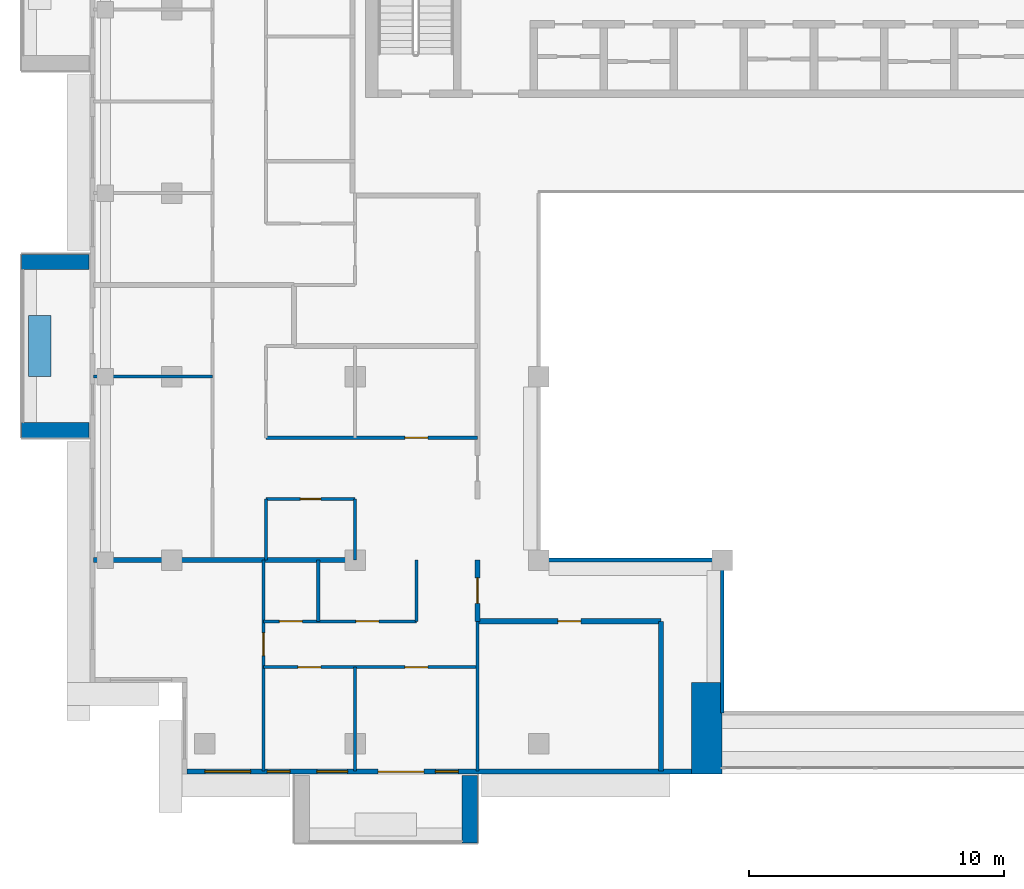
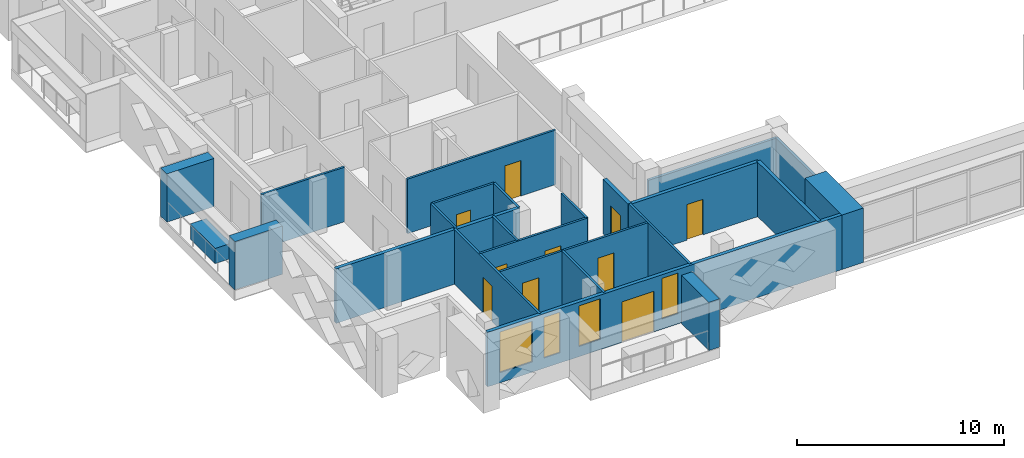
# One storey, part 6 of 19: 24 walls, 10 doors, 4 windows, 14 openings.
"""IFC4 building model written with IfcOpenShell, lengths in metres."""

from ifc_helpers import new_model, si_unit, direction, frame, frame_2d, origin, place, context, subcontext, project, spatial, rectangle, extrude, material, layer, layer_set, type_object, element, fill, save


model = new_model("IFC4")

# Units and contexts
model_context = context("Model", 3, precision=1e-05, world=origin(), true_north=direction((0.0, 1.0)))
body_context = subcontext(model_context, "Body", "Model", "MODEL_VIEW")
ifc_project = project(units=[si_unit("LENGTHUNIT", "METRE"), si_unit("AREAUNIT", "SQUARE_METRE"), si_unit("VOLUMEUNIT", "CUBIC_METRE"), si_unit("PLANEANGLEUNIT", "RADIAN"), si_unit("MASSUNIT", "GRAM", prefix="KILO")], contexts=[model_context])

# Site, building, storey
site_placement = place(None, origin())
site = spatial("IfcSite", under=ifc_project, at=site_placement, CompositionType="ELEMENT")
building_placement = place(site_placement, origin())
building = spatial("IfcBuilding", under=site, at=building_placement, Name="Saffron Iwan Residences", CompositionType="ELEMENT")
storey_placement = place(building_placement, frame((0.0, 0.0, 239.5)))
storey = spatial("IfcBuildingStorey", under=building, at=storey_placement, Name="L64", CompositionType="ELEMENT", Elevation=239.5)

# Walls
ifc_material_1 = material(Name="Fire-rated glazing", Category="glass")
ifc_layer_1 = layer(ifc_material_1, 0.14990234375)
ifc_layer_set_1 = layer_set([ifc_layer_1], Name="Fire-rated glazing")
wall_type_1 = type_object("IfcWallType", Name="Atrium glazed screen 150", PredefinedType="SOLIDWALL", material=ifc_layer_set_1)
wall_1_placement = place(storey_placement, frame((36.0, 48.0, 0.0), z_axis=(0.0, 0.0, 1.0), x_axis=(1.0, 0.0, 0.0)))
element("IfcWall", 1, at=wall_1_placement, inside=storey, type_object=wall_type_1, Name="W-L64-SCREEN-h48-36", PredefinedType="SOLIDWALL", context=body_context, shape_type="SweptSolid", body=[
    extrude(rectangle(XDim=7.199951171875, YDim=0.14990234375, at=frame_2d((3.60009765625, 0.0))), origin(), (0.0, 0.0, 1.0), 2.320068359375),
])
wall_2_placement = place(storey_placement, frame((43.199951171875, 42.0, 0.0), z_axis=(0.0, 0.0, 1.0), x_axis=(0.0, 1.0, 0.0)))
element("IfcWall", 2, at=wall_2_placement, inside=storey, type_object=wall_type_1, Name="W-L64-SCREEN-v43.2-42", PredefinedType="SOLIDWALL", context=body_context, shape_type="SweptSolid", body=[
    extrude(rectangle(XDim=6.0, YDim=0.14990234375, at=frame_2d((3.0, 0.0))), origin(), (0.0, 0.0, 1.0), 2.320068359375),
])
ifc_material_2 = material(Name="Concrete C50/60 white painted", Category="concrete")
ifc_layer_2 = layer(ifc_material_2, 0.60009765625)
ifc_layer_set_2 = layer_set([ifc_layer_2], Name="Concrete C50/60 white painted")
wall_type_2 = type_object("IfcWallType", Name="BALCONY FIN 600", PredefinedType="SOLIDWALL", material=ifc_layer_set_2)
for number, where, z_axis, x_axis, name in (
    (3, (18.35009765625, 59.699951171875, 0.0), (0.0, 0.0, 1.0), (-1.0, 0.0, 0.0), "Balcony fin L64 F8-1a"),
    (4, (18.35009765625, 53.10009765625, 0.0), (0.0, 0.0, 1.0), (-1.0, 0.0, 0.0), "Balcony fin L64 F8-1b"),
    (5, (33.300048828125, 39.550048828125, 0.0), (0.0, 0.0, 1.0), (0.0, -1.0, 0.0), "Balcony fin L64 11-0b"),
):
    element("IfcWall", number, at=place(storey_placement, frame(where, z_axis=z_axis, x_axis=x_axis)), inside=storey, type_object=wall_type_2, Name=name, PredefinedType="SOLIDWALL", context=body_context, shape_type="SweptSolid", body=[
        extrude(rectangle(XDim=2.650146484375, YDim=0.60009765625, at=frame_2d((1.3251953125, 0.0))), origin(), (0.0, 0.0, 1.0), 2.85009765625),
    ])
ifc_material_3 = material(Name="Concrete C35/45 white painted", Category="concrete")
ifc_layer_3 = layer(ifc_material_3, 0.14990234375)
ifc_layer_set_3 = layer_set([ifc_layer_3], Name="Concrete C35/45 white painted")
wall_type_3 = type_object("IfcWallType", Name="BALCONY PLANTER", PredefinedType="SOLIDWALL", material=ifc_layer_set_3)
wall_3_placement = place(storey_placement, frame((16.425048828125, 57.60009765625, 0.0), z_axis=(0.0, 0.0, 1.0), x_axis=(0.0, -1.0, 0.0)))
element("IfcWall", 6, at=wall_3_placement, inside=storey, type_object=wall_type_3, Name="PLANTER L64 F8-1", PredefinedType="SOLIDWALL", context=body_context, shape_type="SweptSolid", body=[
    extrude(rectangle(XDim=2.400146484375, YDim=0.89990234375, at=frame_2d((1.2001953125, 0.0))), origin(), (0.0, 0.0, 1.0), 0.89990234375),
])

# Wall, openings, door, windows
ifc_material_4 = material(Name="Concrete C40/50", Category="concrete")
ifc_layer_4 = layer(ifc_material_4, 0.199951171875)
ifc_layer_set_4 = layer_set([ifc_layer_4], Name="Concrete C40/50")
wall_type_4 = type_object("IfcWallType", Name="EXTERNAL WALL 200", PredefinedType="SOLIDWALL", material=ifc_layer_set_4)
wall_4_placement = place(storey_placement, frame((22.199951171875, 39.699951171875, 0.0), z_axis=(0.0, 0.0, 1.0), x_axis=(1.0, 0.0, 0.0)))
wall_4 = element("IfcWall", 7, at=wall_4_placement, inside=storey, type_object=wall_type_4, Name="External wall L64 F11.0", PredefinedType="SOLIDWALL", context=body_context, shape_type="SweptSolid", body=[
    extrude(rectangle(XDim=19.800048828125, YDim=0.199951171875, at=frame_2d((9.89990234375, 0.0))), origin(), (0.0, 0.0, 1.0), 3.219970703125),
])
opening_1_placement = place(wall_4_placement, frame((7.5, 0.0, 0.0)))
opening_1 = element("IfcOpeningElement", 8, at=opening_1_placement, cuts=wall_4, Name="Opening BD1", PredefinedType="OPENING", context=body_context, shape_type="SweptSolid", body=[
    extrude(rectangle(XDim=1.800048828125, YDim=2.39990234375, at=frame_2d((0.89990234375, 1.199951171875))), frame((0.0, 0.10986328125, 0.0), z_axis=(0.0, -1.0, 0.0), x_axis=(1.0, 0.0, 0.0)), (0.0, 0.0, 1.0), 0.219970703125),
])
opening_2_placement = place(wall_4_placement, frame((0.699951171875, 0.0, 0.60009765625)))
opening_2 = element("IfcOpeningElement", 9, at=opening_2_placement, cuts=wall_4, Name="Opening W8", PredefinedType="OPENING", context=body_context, shape_type="SweptSolid", body=[
    extrude(rectangle(XDim=1.800048828125, YDim=2.39990234375, at=frame_2d((0.89990234375, 1.199951171875))), frame((0.0, 0.10986328125, 0.0), z_axis=(0.0, -1.0, 0.0), x_axis=(1.0, 0.0, 0.0)), (0.0, 0.0, 1.0), 0.219970703125),
])
opening_3_placement = place(wall_4_placement, frame((3.14990234375, 0.0, 0.60009765625)))
opening_3 = element("IfcOpeningElement", 10, at=opening_3_placement, cuts=wall_4, Name="Opening W10", PredefinedType="OPENING", context=body_context, shape_type="SweptSolid", body=[
    extrude(rectangle(XDim=0.89990234375, YDim=2.39990234375, at=frame_2d((0.449951171875, 1.199951171875))), frame((0.0, 0.10986328125, 0.0), z_axis=(0.0, -1.0, 0.0), x_axis=(1.0, 0.0, 0.0)), (0.0, 0.0, 1.0), 0.219970703125),
])
opening_4_placement = place(wall_4_placement, frame((5.10009765625, 0.0, 0.60009765625)))
opening_4 = element("IfcOpeningElement", 11, at=opening_4_placement, cuts=wall_4, Name="Opening W3", PredefinedType="OPENING", context=body_context, shape_type="SweptSolid", body=[
    extrude(rectangle(XDim=1.199951171875, YDim=2.39990234375, at=frame_2d((0.60009765625, 1.199951171875))), frame((0.0, 0.10986328125, 0.0), z_axis=(0.0, -1.0, 0.0), x_axis=(1.0, 0.0, 0.0)), (0.0, 0.0, 1.0), 0.219970703125),
])
opening_5_placement = place(wall_4_placement, frame((9.75, 0.0, 0.60009765625)))
opening_5 = element("IfcOpeningElement", 12, at=opening_5_placement, cuts=wall_4, Name="Opening W10", PredefinedType="OPENING", context=body_context, shape_type="SweptSolid", body=[
    extrude(rectangle(XDim=0.89990234375, YDim=2.39990234375, at=frame_2d((0.449951171875, 1.199951171875))), frame((0.0, 0.10986328125, 0.0), z_axis=(0.0, -1.0, 0.0), x_axis=(1.0, 0.0, 0.0)), (0.0, 0.0, 1.0), 0.219970703125),
])
ifc_material_5 = material(Name="Clear glass, laminated double glazed", Category="glass")
door_type_1 = type_object("IfcDoorType", Name="BALCONY DOOR 1800 x 2400", OperationType="DOUBLE_DOOR_SLIDING", PredefinedType="DOOR", material=ifc_material_5)
door_1_placement = place(opening_1_placement, origin())
door_1 = element("IfcDoor", 13, at=door_1_placement, inside=storey, type_object=door_type_1, Name="Balcony door L64 F11.0", OperationType="DOUBLE_DOOR_SLIDING", OverallHeight=2.39990234375, OverallWidth=1.800048828125, PredefinedType="DOOR", context=body_context, shape_type="SweptSolid", body=[
    extrude(rectangle(XDim=1.800048828125, YDim=2.39990234375, at=frame_2d((0.89990234375, 1.199951171875))), frame((0.0, 0.02490234375, 0.0), z_axis=(0.0, -1.0, 0.0), x_axis=(1.0, 0.0, 0.0)), (0.0, 0.0, 1.0), 0.050048828125),
])
fill(opening_1, door_1)
window_type_1 = type_object("IfcWindowType", Name="WINDOW 1200 x 2400", PartitioningType="SINGLE_PANEL", PredefinedType="WINDOW", material=ifc_material_5)
window_1_placement = place(opening_4_placement, origin())
window_1 = element("IfcWindow", 14, at=window_1_placement, inside=storey, type_object=window_type_1, Name="Window L64 F11.3", OverallHeight=2.39990234375, OverallWidth=1.199951171875, PartitioningType="SINGLE_PANEL", PredefinedType="WINDOW", context=body_context, shape_type="SweptSolid", body=[
    extrude(rectangle(XDim=1.199951171875, YDim=2.39990234375, at=frame_2d((0.60009765625, 1.199951171875))), frame((0.0, 0.030029296875, 0.0), z_axis=(0.0, -1.0, 0.0), x_axis=(1.0, 0.0, 0.0)), (0.0, 0.0, 1.0), 0.06005859375),
])
fill(opening_4, window_1)
window_type_2 = type_object("IfcWindowType", Name="WINDOW 1800 x 2400", PartitioningType="DOUBLE_PANEL_VERTICAL", PredefinedType="WINDOW", material=ifc_material_5)
window_2_placement = place(opening_2_placement, origin())
window_2 = element("IfcWindow", 15, at=window_2_placement, inside=storey, type_object=window_type_2, Name="Window L64 F11.1", OverallHeight=2.39990234375, OverallWidth=1.800048828125, PartitioningType="DOUBLE_PANEL_VERTICAL", PredefinedType="WINDOW", context=body_context, shape_type="SweptSolid", body=[
    extrude(rectangle(XDim=1.800048828125, YDim=2.39990234375, at=frame_2d((0.89990234375, 1.199951171875))), frame((0.0, 0.030029296875, 0.0), z_axis=(0.0, -1.0, 0.0), x_axis=(1.0, 0.0, 0.0)), (0.0, 0.0, 1.0), 0.06005859375),
])
fill(opening_2, window_2)
window_type_3 = type_object("IfcWindowType", Name="WINDOW 900 x 2400", PartitioningType="SINGLE_PANEL", PredefinedType="WINDOW", material=ifc_material_5)
window_3_placement = place(opening_3_placement, origin())
window_3 = element("IfcWindow", 16, at=window_3_placement, inside=storey, type_object=window_type_3, Name="Window L64 F11.2", OverallHeight=2.39990234375, OverallWidth=0.89990234375, PartitioningType="SINGLE_PANEL", PredefinedType="WINDOW", context=body_context, shape_type="SweptSolid", body=[
    extrude(rectangle(XDim=0.89990234375, YDim=2.39990234375, at=frame_2d((0.449951171875, 1.199951171875))), frame((0.0, 0.030029296875, 0.0), z_axis=(0.0, -1.0, 0.0), x_axis=(1.0, 0.0, 0.0)), (0.0, 0.0, 1.0), 0.06005859375),
])
fill(opening_3, window_3)
window_4_placement = place(opening_5_placement, origin())
window_4 = element("IfcWindow", 17, at=window_4_placement, inside=storey, type_object=window_type_3, Name="Window L64 F11.4", OverallHeight=2.39990234375, OverallWidth=0.89990234375, PartitioningType="SINGLE_PANEL", PredefinedType="WINDOW", context=body_context, shape_type="SweptSolid", body=[
    extrude(rectangle(XDim=0.89990234375, YDim=2.39990234375, at=frame_2d((0.449951171875, 1.199951171875))), frame((0.0, 0.030029296875, 0.0), z_axis=(0.0, -1.0, 0.0), x_axis=(1.0, 0.0, 0.0)), (0.0, 0.0, 1.0), 0.06005859375),
])
fill(opening_5, window_4)

# Wall
ifc_material_6 = material(Name="Fire-rated gypsum board wall")
ifc_layer_5 = layer(ifc_material_6, 0.199951171875)
ifc_layer_set_5 = layer_set([ifc_layer_5], Name="Fire-rated gypsum board wall")
wall_type_5 = type_object("IfcWallType", Name="Flat demising wall 200", PredefinedType="SOLIDWALL", material=ifc_layer_set_5)
wall_5_placement = place(storey_placement, frame((18.52490234375, 48.0, 0.0), z_axis=(0.0, 0.0, 1.0), x_axis=(1.0, 0.0, 0.0)))
element("IfcWall", 18, at=wall_5_placement, inside=storey, type_object=wall_type_5, Name="W-L64-DEMISE-h48-18.525", PredefinedType="SOLIDWALL", context=body_context, shape_type="SweptSolid", body=[
    extrude(rectangle(XDim=10.275146484375, YDim=0.199951171875, at=frame_2d((5.1376953125, 0.0))), origin(), (0.0, 0.0, 1.0), 3.219970703125),
])

# Wall, openings, doors
ifc_material_7 = material(Name="Gypsum board partition")
ifc_layer_6 = layer(ifc_material_7, 0.1201171875)
ifc_layer_set_6 = layer_set([ifc_layer_6], Name="Gypsum board partition")
wall_type_6 = type_object("IfcWallType", Name="Flat partition 120", PredefinedType="PARTITIONING", material=ifc_layer_set_6)
wall_6_placement = place(storey_placement, frame((25.199951171875, 43.800048828125, 0.0), z_axis=(0.0, 0.0, 1.0), x_axis=(1.0, 0.0, 0.0)))
wall_6 = element("IfcWall", 19, at=wall_6_placement, inside=storey, type_object=wall_type_6, Name="W-L64-PART-h43.8-25.2", PredefinedType="PARTITIONING", context=body_context, shape_type="SweptSolid", body=[
    extrude(rectangle(XDim=8.400146484375, YDim=0.1201171875, at=frame_2d((4.2001953125, 0.0))), origin(), (0.0, 0.0, 1.0), 3.219970703125),
])
opening_6_placement = place(wall_6_placement, frame((1.35009765625, 0.0, 0.0)))
opening_6 = element("IfcOpeningElement", 20, at=opening_6_placement, cuts=wall_6, Name="Opening FD2", PredefinedType="OPENING", context=body_context, shape_type="SweptSolid", body=[
    extrude(rectangle(XDim=0.89990234375, YDim=2.10009765625, at=frame_2d((0.449951171875, 1.050048828125))), frame((0.0, 0.070068359375, 0.0), z_axis=(0.0, -1.0, 0.0), x_axis=(1.0, 0.0, 0.0)), (0.0, 0.0, 1.0), 0.14013671875),
])
opening_7_placement = place(wall_6_placement, frame((5.550048828125, 0.0, 0.0)))
opening_7 = element("IfcOpeningElement", 21, at=opening_7_placement, cuts=wall_6, Name="Opening FD2", PredefinedType="OPENING", context=body_context, shape_type="SweptSolid", body=[
    extrude(rectangle(XDim=0.89990234375, YDim=2.10009765625, at=frame_2d((0.449951171875, 1.050048828125))), frame((0.0, 0.070068359375, 0.0), z_axis=(0.0, -1.0, 0.0), x_axis=(1.0, 0.0, 0.0)), (0.0, 0.0, 1.0), 0.14013671875),
])
ifc_material_8 = material(Name="Timber door", Category="wood")
door_type_2 = type_object("IfcDoorType", Name="Flat door 900", OperationType="NOTDEFINED", PredefinedType="DOOR", material=ifc_material_8)
door_2_placement = place(opening_6_placement, origin())
door_2 = element("IfcDoor", 22, at=door_2_placement, inside=storey, type_object=door_type_2, Name="Door L64-003", OperationType="SINGLE_SWING_RIGHT", OverallHeight=2.10009765625, OverallWidth=0.89990234375, PredefinedType="DOOR", context=body_context, shape_type="SweptSolid", body=[
    extrude(rectangle(XDim=0.89990234375, YDim=2.10009765625, at=frame_2d((0.449951171875, 1.050048828125))), frame((0.0, 0.02490234375, 0.0), z_axis=(0.0, -1.0, 0.0), x_axis=(1.0, 0.0, 0.0)), (0.0, 0.0, 1.0), 0.050048828125),
])
fill(opening_6, door_2)
door_3_placement = place(opening_7_placement, origin())
door_3 = element("IfcDoor", 23, at=door_3_placement, inside=storey, type_object=door_type_2, Name="Door L64-004", OperationType="SINGLE_SWING_LEFT", OverallHeight=2.10009765625, OverallWidth=0.89990234375, PredefinedType="DOOR", context=body_context, shape_type="SweptSolid", body=[
    extrude(rectangle(XDim=0.89990234375, YDim=2.10009765625, at=frame_2d((0.449951171875, 1.050048828125))), frame((0.0, 0.02490234375, 0.0), z_axis=(0.0, -1.0, 0.0), x_axis=(1.0, 0.0, 0.0)), (0.0, 0.0, 1.0), 0.050048828125),
])
fill(opening_7, door_3)

wall_7_placement = place(storey_placement, frame((25.199951171875, 45.60009765625, 0.0), z_axis=(0.0, 0.0, 1.0), x_axis=(1.0, 0.0, 0.0)))
wall_7 = element("IfcWall", 24, at=wall_7_placement, inside=storey, type_object=wall_type_6, Name="W-L64-PART-h45.6-25.2", PredefinedType="PARTITIONING", context=body_context, shape_type="SweptSolid", body=[
    extrude(rectangle(XDim=6.0, YDim=0.1201171875, at=frame_2d((3.0, 0.0))), origin(), (0.0, 0.0, 1.0), 3.219970703125),
])
opening_8_placement = place(wall_7_placement, frame((0.625, 0.0, 0.0)))
opening_8 = element("IfcOpeningElement", 25, at=opening_8_placement, cuts=wall_7, Name="Opening FD2", PredefinedType="OPENING", context=body_context, shape_type="SweptSolid", body=[
    extrude(rectangle(XDim=0.89990234375, YDim=2.10009765625, at=frame_2d((0.449951171875, 1.050048828125))), frame((0.0, 0.070068359375, 0.0), z_axis=(0.0, -1.0, 0.0), x_axis=(1.0, 0.0, 0.0)), (0.0, 0.0, 1.0), 0.14013671875),
])
opening_9_placement = place(wall_7_placement, frame((3.625, 0.0, 0.0)))
opening_9 = element("IfcOpeningElement", 26, at=opening_9_placement, cuts=wall_7, Name="Opening FD2", PredefinedType="OPENING", context=body_context, shape_type="SweptSolid", body=[
    extrude(rectangle(XDim=0.89990234375, YDim=2.10009765625, at=frame_2d((0.449951171875, 1.050048828125))), frame((0.0, 0.070068359375, 0.0), z_axis=(0.0, -1.0, 0.0), x_axis=(1.0, 0.0, 0.0)), (0.0, 0.0, 1.0), 0.14013671875),
])
door_4_placement = place(opening_8_placement, origin())
door_4 = element("IfcDoor", 27, at=door_4_placement, inside=storey, type_object=door_type_2, Name="Door L64-005", OperationType="SINGLE_SWING_LEFT", OverallHeight=2.10009765625, OverallWidth=0.89990234375, PredefinedType="DOOR", context=body_context, shape_type="SweptSolid", body=[
    extrude(rectangle(XDim=0.89990234375, YDim=2.10009765625, at=frame_2d((0.449951171875, 1.050048828125))), frame((0.0, 0.02490234375, 0.0), z_axis=(0.0, -1.0, 0.0), x_axis=(1.0, 0.0, 0.0)), (0.0, 0.0, 1.0), 0.050048828125),
])
fill(opening_8, door_4)
door_5_placement = place(opening_9_placement, origin())
door_5 = element("IfcDoor", 28, at=door_5_placement, inside=storey, type_object=door_type_2, Name="Door L64-006", OperationType="SINGLE_SWING_RIGHT", OverallHeight=2.10009765625, OverallWidth=0.89990234375, PredefinedType="DOOR", context=body_context, shape_type="SweptSolid", body=[
    extrude(rectangle(XDim=0.89990234375, YDim=2.10009765625, at=frame_2d((0.449951171875, 1.050048828125))), frame((0.0, 0.02490234375, 0.0), z_axis=(0.0, -1.0, 0.0), x_axis=(1.0, 0.0, 0.0)), (0.0, 0.0, 1.0), 0.050048828125),
])
fill(opening_9, door_5)

# Wall, opening, door
wall_8_placement = place(storey_placement, frame((25.300048828125, 50.39990234375, 0.0), z_axis=(0.0, 0.0, 1.0), x_axis=(1.0, 0.0, 0.0)))
wall_8 = element("IfcWall", 29, at=wall_8_placement, inside=storey, type_object=wall_type_6, Name="W-L64-PART-h50.4-25.3", PredefinedType="PARTITIONING", context=body_context, shape_type="SweptSolid", body=[
    extrude(rectangle(XDim=3.5, YDim=0.1201171875, at=frame_2d((1.75, 0.0))), origin(), (0.0, 0.0, 1.0), 3.219970703125),
])
opening_10_placement = place(wall_8_placement, frame((1.35009765625, 0.0, 0.0)))
opening_10 = element("IfcOpeningElement", 30, at=opening_10_placement, cuts=wall_8, Name="Opening FD3", PredefinedType="OPENING", context=body_context, shape_type="SweptSolid", body=[
    extrude(rectangle(XDim=0.800048828125, YDim=2.10009765625, at=frame_2d((0.39990234375, 1.050048828125))), frame((0.0, 0.070068359375, 0.0), z_axis=(0.0, -1.0, 0.0), x_axis=(1.0, 0.0, 0.0)), (0.0, 0.0, 1.0), 0.14013671875),
])
door_type_3 = type_object("IfcDoorType", Name="Bathroom door 800", OperationType="NOTDEFINED", PredefinedType="DOOR", material=ifc_material_8)
door_6_placement = place(opening_10_placement, origin())
door_6 = element("IfcDoor", 31, at=door_6_placement, inside=storey, type_object=door_type_3, Name="Door L64-011", OperationType="SINGLE_SWING_LEFT", OverallHeight=2.10009765625, OverallWidth=0.800048828125, PredefinedType="DOOR", context=body_context, shape_type="SweptSolid", body=[
    extrude(rectangle(XDim=0.800048828125, YDim=2.10009765625, at=frame_2d((0.39990234375, 1.050048828125))), frame((0.0, 0.02490234375, 0.0), z_axis=(0.0, -1.0, 0.0), x_axis=(1.0, 0.0, 0.0)), (0.0, 0.0, 1.0), 0.050048828125),
])
fill(opening_10, door_6)

wall_9_placement = place(storey_placement, frame((25.300048828125, 52.800048828125, 0.0), z_axis=(0.0, 0.0, 1.0), x_axis=(1.0, 0.0, 0.0)))
wall_9 = element("IfcWall", 32, at=wall_9_placement, inside=storey, type_object=wall_type_6, Name="W-L64-PART-h52.8-25.3", PredefinedType="PARTITIONING", context=body_context, shape_type="SweptSolid", body=[
    extrude(rectangle(XDim=8.300048828125, YDim=0.1201171875, at=frame_2d((4.14990234375, 0.0))), origin(), (0.0, 0.0, 1.0), 3.219970703125),
])
opening_11_placement = place(wall_9_placement, frame((5.449951171875, 0.0, 0.0)))
opening_11 = element("IfcOpeningElement", 33, at=opening_11_placement, cuts=wall_9, Name="Opening FD2", PredefinedType="OPENING", context=body_context, shape_type="SweptSolid", body=[
    extrude(rectangle(XDim=0.89990234375, YDim=2.10009765625, at=frame_2d((0.449951171875, 1.050048828125))), frame((0.0, 0.070068359375, 0.0), z_axis=(0.0, -1.0, 0.0), x_axis=(1.0, 0.0, 0.0)), (0.0, 0.0, 1.0), 0.14013671875),
])
door_7_placement = place(opening_11_placement, origin())
door_7 = element("IfcDoor", 34, at=door_7_placement, inside=storey, type_object=door_type_2, Name="Door L64-013", OperationType="SINGLE_SWING_LEFT", OverallHeight=2.10009765625, OverallWidth=0.89990234375, PredefinedType="DOOR", context=body_context, shape_type="SweptSolid", body=[
    extrude(rectangle(XDim=0.89990234375, YDim=2.10009765625, at=frame_2d((0.449951171875, 1.050048828125))), frame((0.0, 0.02490234375, 0.0), z_axis=(0.0, -1.0, 0.0), x_axis=(1.0, 0.0, 0.0)), (0.0, 0.0, 1.0), 0.050048828125),
])
fill(opening_11, door_7)

# Wall
wall_10_placement = place(storey_placement, frame((18.52490234375, 55.199951171875, 0.0), z_axis=(0.0, 0.0, 1.0), x_axis=(1.0, 0.0, 0.0)))
element("IfcWall", 35, at=wall_10_placement, inside=storey, type_object=wall_type_6, Name="W-L64-PART-h55.2-18.525", PredefinedType="PARTITIONING", context=body_context, shape_type="SweptSolid", body=[
    extrude(rectangle(XDim=4.675048828125, YDim=0.1201171875, at=frame_2d((2.33740234375, 0.0))), origin(), (0.0, 0.0, 1.0), 3.219970703125),
])

# Wall, opening, door
wall_11_placement = place(storey_placement, frame((25.199951171875, 39.72509765625, 0.0), z_axis=(0.0, 0.0, 1.0), x_axis=(0.0, 1.0, 0.0)))
wall_11 = element("IfcWall", 36, at=wall_11_placement, inside=storey, type_object=wall_type_6, Name="W-L64-PART-v25.2-39.725", PredefinedType="PARTITIONING", context=body_context, shape_type="SweptSolid", body=[
    extrude(rectangle(XDim=8.27490234375, YDim=0.1201171875, at=frame_2d((4.137451171875, 0.0))), origin(), (0.0, 0.0, 1.0), 3.219970703125),
])
opening_12_placement = place(wall_11_placement, frame((4.52490234375, 0.0, 0.0)))
opening_12 = element("IfcOpeningElement", 37, at=opening_12_placement, cuts=wall_11, Name="Opening FD2", PredefinedType="OPENING", context=body_context, shape_type="SweptSolid", body=[
    extrude(rectangle(XDim=0.89990234375, YDim=2.10009765625, at=frame_2d((0.449951171875, 1.050048828125))), frame((0.0, 0.070068359375, 0.0), z_axis=(0.0, -1.0, 0.0), x_axis=(1.0, 0.0, 0.0)), (0.0, 0.0, 1.0), 0.14013671875),
])
door_8_placement = place(opening_12_placement, origin())
door_8 = element("IfcDoor", 38, at=door_8_placement, inside=storey, type_object=door_type_2, Name="Door L64-002", OperationType="SINGLE_SWING_LEFT", OverallHeight=2.10009765625, OverallWidth=0.89990234375, PredefinedType="DOOR", context=body_context, shape_type="SweptSolid", body=[
    extrude(rectangle(XDim=0.89990234375, YDim=2.10009765625, at=frame_2d((0.449951171875, 1.050048828125))), frame((0.0, 0.02490234375, 0.0), z_axis=(0.0, -1.0, 0.0), x_axis=(1.0, 0.0, 0.0)), (0.0, 0.0, 1.0), 0.050048828125),
])
fill(opening_12, door_8)

# Walls
for number, where, z_axis, x_axis, name in (
    (39, (25.300048828125, 48.0, 0.0), (0.0, 0.0, 1.0), (0.0, 1.0, 0.0), "W-L64-PART-v25.3-48"),
    (40, (27.35009765625, 45.60009765625, 0.0), (0.0, 0.0, 1.0), (0.0, 1.0, 0.0), "W-L64-PART-v27.35-45.6"),
):
    element("IfcWall", number, at=place(storey_placement, frame(where, z_axis=z_axis, x_axis=x_axis)), inside=storey, type_object=wall_type_6, Name=name, PredefinedType="PARTITIONING", context=body_context, shape_type="SweptSolid", body=[
        extrude(rectangle(XDim=2.39990234375, YDim=0.1201171875, at=frame_2d((1.199951171875, 0.0))), origin(), (0.0, 0.0, 1.0), 3.219970703125),
    ])
wall_12_placement = place(storey_placement, frame((28.800048828125, 39.72509765625, 0.0), z_axis=(0.0, 0.0, 1.0), x_axis=(0.0, 1.0, 0.0)))
element("IfcWall", 41, at=wall_12_placement, inside=storey, type_object=wall_type_6, Name="W-L64-PART-v28.8-39.725", PredefinedType="PARTITIONING", context=body_context, shape_type="SweptSolid", body=[
    extrude(rectangle(XDim=4.074951171875, YDim=0.1201171875, at=frame_2d((2.03759765625, 0.0))), origin(), (0.0, 0.0, 1.0), 3.219970703125),
])
for number, where, z_axis, x_axis, name in (
    (42, (28.800048828125, 48.0, 0.0), (0.0, 0.0, 1.0), (0.0, 1.0, 0.0), "W-L64-PART-v28.8-48"),
    (43, (31.199951171875, 45.60009765625, 0.0), (0.0, 0.0, 1.0), (0.0, 1.0, 0.0), "W-L64-PART-v31.2-45.6"),
):
    element("IfcWall", number, at=place(storey_placement, frame(where, z_axis=z_axis, x_axis=x_axis)), inside=storey, type_object=wall_type_6, Name=name, PredefinedType="PARTITIONING", context=body_context, shape_type="SweptSolid", body=[
        extrude(rectangle(XDim=2.39990234375, YDim=0.1201171875, at=frame_2d((1.199951171875, 0.0))), origin(), (0.0, 0.0, 1.0), 3.219970703125),
    ])
wall_13_placement = place(storey_placement, frame((33.60009765625, 39.72509765625, 0.0), z_axis=(0.0, 0.0, 1.0), x_axis=(0.0, 1.0, 0.0)))
element("IfcWall", 44, at=wall_13_placement, inside=storey, type_object=wall_type_6, Name="W-L64-PART-v33.6-39.725", PredefinedType="PARTITIONING", context=body_context, shape_type="SweptSolid", body=[
    extrude(rectangle(XDim=5.875, YDim=0.1201171875, at=frame_2d((2.9375, 0.0))), origin(), (0.0, 0.0, 1.0), 3.219970703125),
])

# Wall, opening, door
ifc_layer_7 = layer(ifc_material_6, 0.199951171875)
ifc_layer_set_7 = layer_set([ifc_layer_7], Name="Fire-rated gypsum board wall")
wall_type_7 = type_object("IfcWallType", Name="Gallery wall 200", PredefinedType="SOLIDWALL", material=ifc_layer_set_7)
wall_14_placement = place(storey_placement, frame((33.60009765625, 45.60009765625, 0.0), z_axis=(0.0, 0.0, 1.0), x_axis=(1.0, 0.0, 0.0)))
wall_14 = element("IfcWall", 45, at=wall_14_placement, inside=storey, type_object=wall_type_7, Name="W-L64-CORR-h45.6-33.6", PredefinedType="SOLIDWALL", context=body_context, shape_type="SweptSolid", body=[
    extrude(rectangle(XDim=7.199951171875, YDim=0.199951171875, at=frame_2d((3.60009765625, 0.0))), origin(), (0.0, 0.0, 1.0), 3.219970703125),
])
opening_13_placement = place(wall_14_placement, frame((3.14990234375, 0.0, 0.0)))
opening_13 = element("IfcOpeningElement", 46, at=opening_13_placement, cuts=wall_14, Name="Opening FD2", PredefinedType="OPENING", context=body_context, shape_type="SweptSolid", body=[
    extrude(rectangle(XDim=0.89990234375, YDim=2.10009765625, at=frame_2d((0.449951171875, 1.050048828125))), frame((0.0, 0.10986328125, 0.0), z_axis=(0.0, -1.0, 0.0), x_axis=(1.0, 0.0, 0.0)), (0.0, 0.0, 1.0), 0.219970703125),
])
door_9_placement = place(opening_13_placement, origin())
door_9 = element("IfcDoor", 47, at=door_9_placement, inside=storey, type_object=door_type_2, Name="Door L64-007", OperationType="SINGLE_SWING_LEFT", OverallHeight=2.10009765625, OverallWidth=0.89990234375, PredefinedType="DOOR", context=body_context, shape_type="SweptSolid", body=[
    extrude(rectangle(XDim=0.89990234375, YDim=2.10009765625, at=frame_2d((0.449951171875, 1.050048828125))), frame((0.0, 0.02490234375, 0.0), z_axis=(0.0, -1.0, 0.0), x_axis=(1.0, 0.0, 0.0)), (0.0, 0.0, 1.0), 0.050048828125),
])
fill(opening_13, door_9)

wall_15_placement = place(storey_placement, frame((33.60009765625, 45.60009765625, 0.0), z_axis=(0.0, 0.0, 1.0), x_axis=(0.0, 1.0, 0.0)))
wall_15 = element("IfcWall", 48, at=wall_15_placement, inside=storey, type_object=wall_type_7, Name="W-L64-CORR-v33.6-45.6", PredefinedType="SOLIDWALL", context=body_context, shape_type="SweptSolid", body=[
    extrude(rectangle(XDim=2.39990234375, YDim=0.199951171875, at=frame_2d((1.199951171875, 0.0))), origin(), (0.0, 0.0, 1.0), 3.219970703125),
])
opening_14_placement = place(wall_15_placement, frame((0.699951171875, 0.0, 0.0)))
opening_14 = element("IfcOpeningElement", 49, at=opening_14_placement, cuts=wall_15, Name="Opening FD1", PredefinedType="OPENING", context=body_context, shape_type="SweptSolid", body=[
    extrude(rectangle(XDim=1.0, YDim=2.10009765625, at=frame_2d((0.5, 1.050048828125))), frame((0.0, 0.10986328125, 0.0), z_axis=(0.0, -1.0, 0.0), x_axis=(1.0, 0.0, 0.0)), (0.0, 0.0, 1.0), 0.219970703125),
])
ifc_material_9 = material(Name="Fire-rated timber door", Category="wood")
door_type_4 = type_object("IfcDoorType", Name="FD30S flat entrance door 1000", OperationType="NOTDEFINED", PredefinedType="DOOR", material=ifc_material_9)
door_10_placement = place(opening_14_placement, origin())
door_10 = element("IfcDoor", 50, at=door_10_placement, inside=storey, type_object=door_type_4, Name="Door L64-001", OperationType="SINGLE_SWING_LEFT", OverallHeight=2.10009765625, OverallWidth=1.0, PredefinedType="DOOR", context=body_context, shape_type="SweptSolid", body=[
    extrude(rectangle(XDim=1.0, YDim=2.10009765625, at=frame_2d((0.5, 1.050048828125))), frame((0.0, 0.02490234375, 0.0), z_axis=(0.0, -1.0, 0.0), x_axis=(1.0, 0.0, 0.0)), (0.0, 0.0, 1.0), 0.050048828125),
])
fill(opening_14, door_10)

# Walls
wall_16_placement = place(storey_placement, frame((40.800048828125, 39.72509765625, 0.0), z_axis=(0.0, 0.0, 1.0), x_axis=(0.0, 1.0, 0.0)))
element("IfcWall", 51, at=wall_16_placement, inside=storey, type_object=wall_type_7, Name="W-L64-CORR-v40.8-39.725", PredefinedType="SOLIDWALL", context=body_context, shape_type="SweptSolid", body=[
    extrude(rectangle(XDim=5.875, YDim=0.199951171875, at=frame_2d((2.9375, 0.0))), origin(), (0.0, 0.0, 1.0), 3.219970703125),
])
ifc_layer_8 = layer(ifc_material_4, 1.199951171875)
ifc_layer_set_8 = layer_set([ifc_layer_8], Name="Concrete C40/50")
wall_type_8 = type_object("IfcWallType", Name="WALL IWAN PIER 1200 C40/50 3220 HIGH", PredefinedType="SHEAR", material=ifc_layer_set_8)
wall_17_placement = place(storey_placement, frame((42.60009765625, 39.60009765625, 0.0), z_axis=(0.0, 0.0, 1.0), x_axis=(0.0, 1.0, 0.0)))
element("IfcWall", 52, at=wall_17_placement, inside=storey, type_object=wall_type_8, Name="IWAN PIER", PredefinedType="SHEAR", context=body_context, shape_type="SweptSolid", body=[
    extrude(rectangle(XDim=3.599853515625, YDim=1.199951171875, at=frame_2d((1.7998046875, 0.0))), origin(), (0.0, 0.0, 1.0), 3.219970703125),
])

save(model, "model.ifc")
